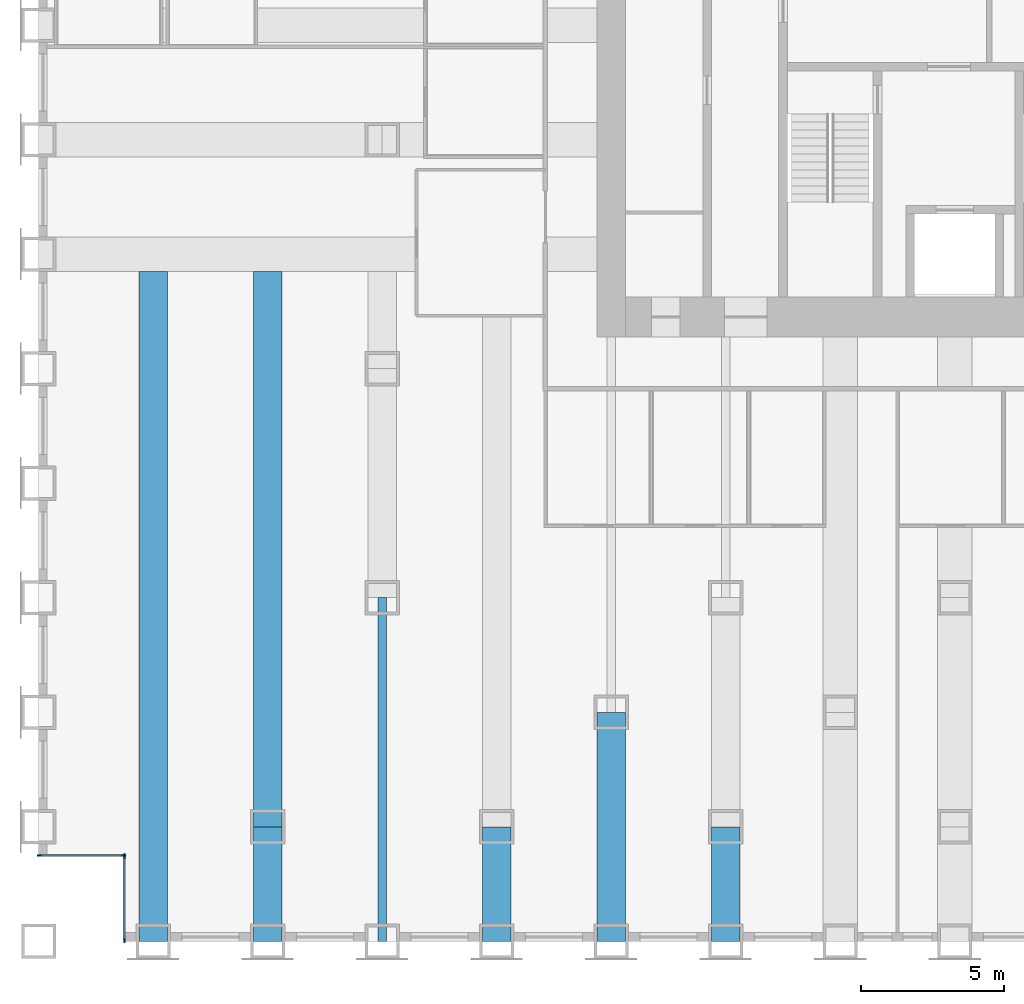
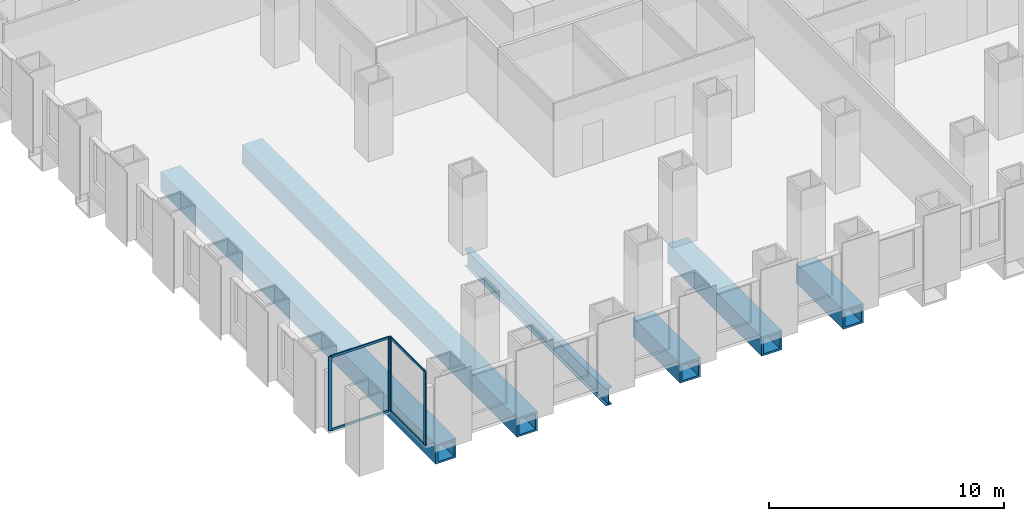
# One storey, part 2 of 14: 8 members, 7 beams, 2 elements without a shape of their own.
"""IFC4 building model written with IfcOpenShell, lengths in metres."""

from ifc_helpers import new_model, si_unit, direction, frame, origin, origin_2d, place, context, subcontext, project, spatial, rectangle, hollow_rectangle, i_section, extrude, material, material_profile, profile_set, type_object, element, aggregate, save


model = new_model("IFC4")

# Units and contexts
model_context = context("Model", 3, precision=1e-05, world=origin(), true_north=direction((0.0, 1.0)))
body_context = subcontext(model_context, "Body", "Model", "MODEL_VIEW")
ifc_project = project(units=[si_unit("LENGTHUNIT", "METRE"), si_unit("AREAUNIT", "SQUARE_METRE"), si_unit("VOLUMEUNIT", "CUBIC_METRE"), si_unit("PLANEANGLEUNIT", "RADIAN"), si_unit("MASSUNIT", "GRAM", prefix="KILO")], contexts=[model_context])

# Site, building, storey
site_placement = place(None, origin())
site = spatial("IfcSite", under=ifc_project, at=site_placement, CompositionType="ELEMENT")
building_placement = place(site_placement, origin())
building = spatial("IfcBuilding", under=site, at=building_placement, Name="Rimbunsela Tower", CompositionType="ELEMENT")
storey_placement = place(building_placement, frame((0.0, 0.0, 15.0)))
storey = spatial("IfcBuildingStorey", under=building, at=storey_placement, Name="L03", CompositionType="ELEMENT", Elevation=15.0)

# Beams
ifc_material_1 = material(Name="Steel BJ 55 (fy 410 MPa)", Category="steel")
ifc_material_profile_1 = material_profile(ifc_material_1, hollow_rectangle(XDim=1.0, YDim=1.0, WallThickness=0.10009765625, at=origin_2d()), Name="BOX 1000x1000x100")
ifc_profile_set_1 = profile_set([ifc_material_profile_1], Name="Steel BJ 55 (fy 410 MPa)")
beam_type_1 = type_object("IfcBeamType", Name="Beam BOX 1000x1000x100", PredefinedType="BEAM", material=ifc_profile_set_1)
beam_1_placement = place(storey_placement, frame((2.0, -4.0, -0.64990234375), z_axis=(0.0, 1.0, 0.0), x_axis=(-1.0, 0.0, 0.0)))
element("IfcBeam", 1, at=beam_1_placement, inside=storey, type_object=beam_type_1, Name="Beam B3 L03", PredefinedType="BEAM", context=body_context, shape_type="SweptSolid", body=[
    extrude(hollow_rectangle(XDim=1.0, YDim=1.0, WallThickness=0.10009765625, at=origin_2d()), origin(), (0.0, 0.0, 1.0), 23.39990234375),
])
beam_2_placement = place(storey_placement, frame((6.0, -4.0, -0.64990234375), z_axis=(0.0, 1.0, 0.0), x_axis=(-1.0, 0.0, 0.0)))
element("IfcBeam", 2, at=beam_2_placement, inside=storey, type_object=beam_type_1, Name="Beam B3 L03", PredefinedType="BEAM", context=body_context, shape_type="SweptSolid", body=[
    extrude(hollow_rectangle(XDim=1.0, YDim=1.0, WallThickness=0.10009765625, at=origin_2d()), origin(), (0.0, 0.0, 1.0), 4.0),
])
beam_3_placement = place(storey_placement, frame((6.0, 0.0, -0.64990234375), z_axis=(0.0, 1.0, 0.0), x_axis=(-1.0, 0.0, 0.0)))
element("IfcBeam", 3, at=beam_3_placement, inside=storey, type_object=beam_type_1, Name="Beam B3 L03", PredefinedType="BEAM", context=body_context, shape_type="SweptSolid", body=[
    extrude(hollow_rectangle(XDim=1.0, YDim=1.0, WallThickness=0.10009765625, at=origin_2d()), origin(), (0.0, 0.0, 1.0), 19.39990234375),
])
beam_4_placement = place(storey_placement, frame((14.0, -4.0, -0.64990234375), z_axis=(0.0, 1.0, 0.0), x_axis=(-1.0, 0.0, 0.0)))
element("IfcBeam", 4, at=beam_4_placement, inside=storey, type_object=beam_type_1, Name="Beam B3 L03", PredefinedType="BEAM", context=body_context, shape_type="SweptSolid", body=[
    extrude(hollow_rectangle(XDim=1.0, YDim=1.0, WallThickness=0.10009765625, at=origin_2d()), origin(), (0.0, 0.0, 1.0), 4.0),
])
beam_5_placement = place(storey_placement, frame((18.0, -4.0, -0.64990234375), z_axis=(0.0, 1.0, 0.0), x_axis=(-1.0, 0.0, 0.0)))
element("IfcBeam", 5, at=beam_5_placement, inside=storey, type_object=beam_type_1, Name="Beam B3 L03", PredefinedType="BEAM", context=body_context, shape_type="SweptSolid", body=[
    extrude(hollow_rectangle(XDim=1.0, YDim=1.0, WallThickness=0.10009765625, at=origin_2d()), origin(), (0.0, 0.0, 1.0), 8.0),
])
beam_6_placement = place(storey_placement, frame((22.0, -4.0, -0.64990234375), z_axis=(0.0, 1.0, 0.0), x_axis=(-1.0, 0.0, 0.0)))
element("IfcBeam", 6, at=beam_6_placement, inside=storey, type_object=beam_type_1, Name="Beam B3 L03", PredefinedType="BEAM", context=body_context, shape_type="SweptSolid", body=[
    extrude(hollow_rectangle(XDim=1.0, YDim=1.0, WallThickness=0.10009765625, at=origin_2d()), origin(), (0.0, 0.0, 1.0), 4.0),
])
ifc_material_2 = material(Name="Steel BJ 55 (fy 410 MPa)", Category="steel")
ifc_material_profile_2 = material_profile(ifc_material_2, i_section(OverallWidth=0.300048828125, OverallDepth=0.89990234375, WebThickness=0.01611328125, FlangeThickness=0.028076171875, FilletRadius=0.028076171875, at=origin_2d()), Name="H 900x300x16x28")
ifc_profile_set_2 = profile_set([ifc_material_profile_2], Name="Steel BJ 55 (fy 410 MPa)")
beam_type_2 = type_object("IfcBeamType", Name="Beam H 900x300x16x28", PredefinedType="BEAM", material=ifc_profile_set_2)
beam_7_placement = place(storey_placement, frame((10.0, -4.0, -0.60009765625), z_axis=(0.0, 1.0, 0.0), x_axis=(-1.0, 0.0, 0.0)))
element("IfcBeam", 7, at=beam_7_placement, inside=storey, type_object=beam_type_2, Name="Beam B2 L03", PredefinedType="BEAM", context=body_context, shape_type="SweptSolid", body=[
    extrude(i_section(OverallWidth=0.300048828125, OverallDepth=0.89990234375, WebThickness=0.01611328125, FlangeThickness=0.028076171875, FilletRadius=0.028076171875, at=origin_2d()), origin(), (0.0, 0.0, 1.0), 12.0),
])

# Curtain wall, members
ifc_material_3 = material(Name="Aluminium curtain wall", Category="aluminium")
curtain_wall_type = type_object("IfcCurtainWallType", Name="Corner glazing", PredefinedType="USERDEFINED", material=ifc_material_3)
curtain_wall_1_placement = place(storey_placement, origin())
curtain_wall_1 = element("IfcCurtainWall", 8, at=curtain_wall_1_placement, inside=storey, type_object=curtain_wall_type, Name="Corner glazing L03", ObjectType="CORNER GLAZING", PredefinedType="USERDEFINED")
ifc_material_4 = material(Name="Aluminium mullion", Category="aluminium")
ifc_material_profile_3 = material_profile(ifc_material_4, rectangle(XDim=0.06005859375, YDim=0.159912109375, at=origin_2d()), Name="Mullion 60x160")
ifc_profile_set_3 = profile_set([ifc_material_profile_3], Name="Aluminium mullion")
member_type_1 = type_object("IfcMemberType", Name="Curtain wall mullion 60x160", PredefinedType="MULLION", material=ifc_profile_set_3)
member_1_placement = place(storey_placement, frame((-1.969970703125, -1.0, 0.0), z_axis=(0.0, 0.0, 1.0), x_axis=(0.0, 1.0, 0.0)))
member_1 = element("IfcMember", 9, at=member_1_placement, type_object=member_type_1, Name="CW5 mullion 1", PredefinedType="MULLION", context=body_context, shape_type="SweptSolid", body=[
    extrude(rectangle(XDim=0.06005859375, YDim=0.159912109375, at=origin_2d()), origin(), (0.0, 0.0, 1.0), 3.85009765625),
])
member_2_placement = place(storey_placement, frame((0.969970703125, -1.0, 0.0), z_axis=(0.0, 0.0, 1.0), x_axis=(0.0, 1.0, 0.0)))
member_2 = element("IfcMember", 10, at=member_2_placement, type_object=member_type_1, Name="CW5 mullion 2", PredefinedType="MULLION", context=body_context, shape_type="SweptSolid", body=[
    extrude(rectangle(XDim=0.06005859375, YDim=0.159912109375, at=origin_2d()), origin(), (0.0, 0.0, 1.0), 3.85009765625),
])

curtain_wall_2_placement = place(storey_placement, origin())
curtain_wall_2 = element("IfcCurtainWall", 11, at=curtain_wall_2_placement, inside=storey, type_object=curtain_wall_type, Name="Corner glazing L03", ObjectType="CORNER GLAZING", PredefinedType="USERDEFINED")
member_3_placement = place(storey_placement, frame((1.0, -1.030029296875, 0.0), z_axis=(0.0, 0.0, 1.0), x_axis=(1.0, 0.0, 0.0)))
member_3 = element("IfcMember", 12, at=member_3_placement, type_object=member_type_1, Name="CW5 mullion 1", PredefinedType="MULLION", context=body_context, shape_type="SweptSolid", body=[
    extrude(rectangle(XDim=0.06005859375, YDim=0.159912109375, at=origin_2d()), origin(), (0.0, 0.0, 1.0), 3.85009765625),
])
member_4_placement = place(storey_placement, frame((1.0, -3.969970703125, 0.0), z_axis=(0.0, 0.0, 1.0), x_axis=(1.0, 0.0, 0.0)))
member_4 = element("IfcMember", 13, at=member_4_placement, type_object=member_type_1, Name="CW5 mullion 2", PredefinedType="MULLION", context=body_context, shape_type="SweptSolid", body=[
    extrude(rectangle(XDim=0.06005859375, YDim=0.159912109375, at=origin_2d()), origin(), (0.0, 0.0, 1.0), 3.85009765625),
])

# Member
ifc_material_5 = material(Name="Aluminium transom", Category="aluminium")
ifc_material_profile_4 = material_profile(ifc_material_5, rectangle(XDim=0.06005859375, YDim=0.1201171875, at=origin_2d()), Name="Transom 60x120")
ifc_profile_set_4 = profile_set([ifc_material_profile_4], Name="Aluminium transom")
member_type_2 = type_object("IfcMemberType", Name="Curtain wall transom 60x120", PredefinedType="USERDEFINED", material=ifc_profile_set_4)
member_5_placement = place(storey_placement, frame((-1.93994140625, -1.0, 0.030029296875), z_axis=(1.0, 0.0, 0.0), x_axis=(0.0, 1.0, 0.0)))
member_5 = element("IfcMember", 14, at=member_5_placement, type_object=member_type_2, Name="CW5 transom 1.1", ObjectType="TRANSOM", PredefinedType="USERDEFINED", context=body_context, shape_type="SweptSolid", body=[
    extrude(rectangle(XDim=0.06005859375, YDim=0.1201171875, at=origin_2d()), origin(), (0.0, 0.0, 1.0), 2.8798828125),
])

member_6_placement = place(storey_placement, frame((-1.93994140625, -1.0, 3.820068359375), z_axis=(1.0, 0.0, 0.0), x_axis=(0.0, 1.0, 0.0)))
member_6 = element("IfcMember", 15, at=member_6_placement, type_object=member_type_2, Name="CW5 transom 1.2", ObjectType="TRANSOM", PredefinedType="USERDEFINED", context=body_context, shape_type="SweptSolid", body=[
    extrude(rectangle(XDim=0.06005859375, YDim=0.1201171875, at=origin_2d()), origin(), (0.0, 0.0, 1.0), 2.8798828125),
])

aggregate(curtain_wall_1, [member_1, member_2, member_5, member_6])

member_7_placement = place(storey_placement, frame((1.0, -1.06005859375, 0.030029296875), z_axis=(0.0, -1.0, 0.0), x_axis=(1.0, 0.0, 0.0)))
member_7 = element("IfcMember", 16, at=member_7_placement, type_object=member_type_2, Name="CW5 transom 1.1", ObjectType="TRANSOM", PredefinedType="USERDEFINED", context=body_context, shape_type="SweptSolid", body=[
    extrude(rectangle(XDim=0.06005859375, YDim=0.1201171875, at=origin_2d()), origin(), (0.0, 0.0, 1.0), 2.8798828125),
])

member_8_placement = place(storey_placement, frame((1.0, -1.06005859375, 3.820068359375), z_axis=(0.0, -1.0, 0.0), x_axis=(1.0, 0.0, 0.0)))
member_8 = element("IfcMember", 17, at=member_8_placement, type_object=member_type_2, Name="CW5 transom 1.2", ObjectType="TRANSOM", PredefinedType="USERDEFINED", context=body_context, shape_type="SweptSolid", body=[
    extrude(rectangle(XDim=0.06005859375, YDim=0.1201171875, at=origin_2d()), origin(), (0.0, 0.0, 1.0), 2.8798828125),
])

aggregate(curtain_wall_2, [member_3, member_4, member_7, member_8])

save(model, "model.ifc")
